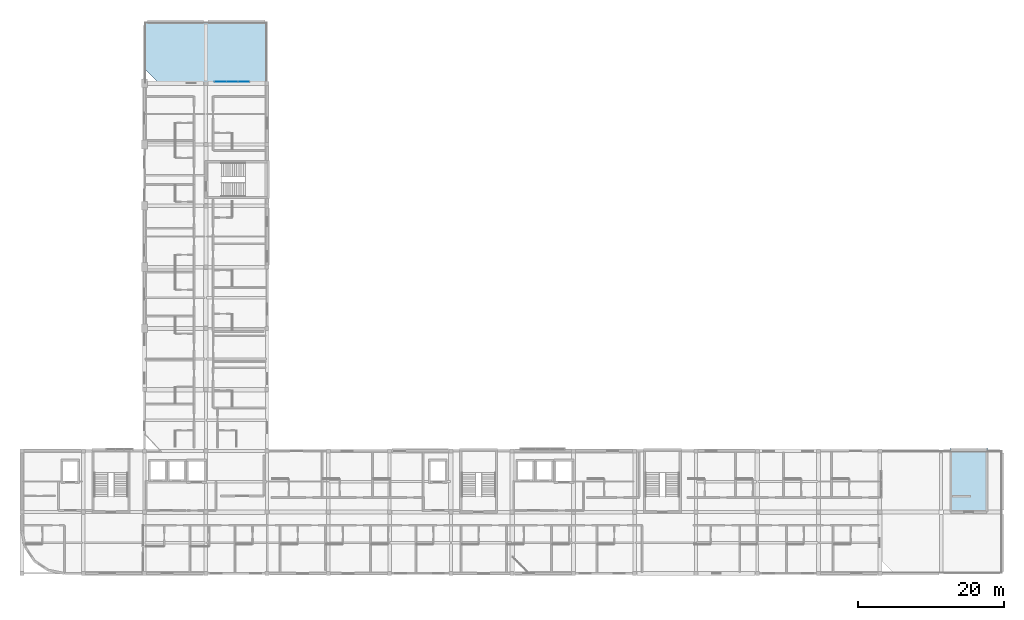
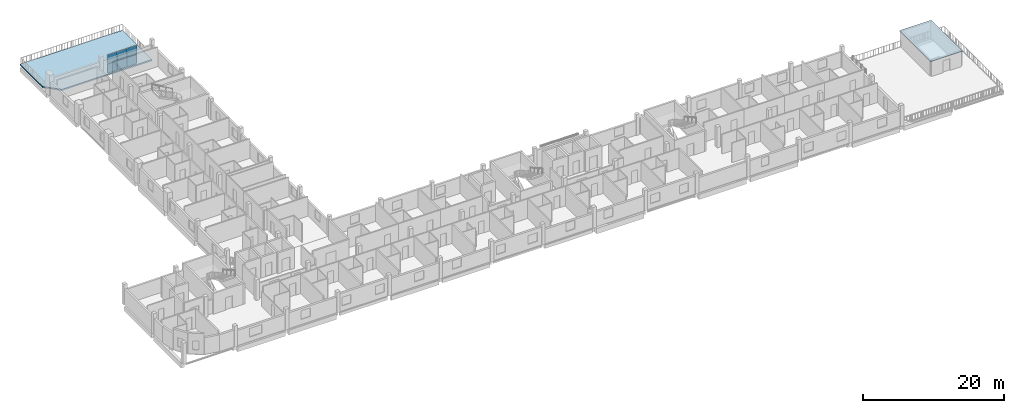
# One storey, part 11 of 26: 6 plates, 2 slabs, 1 element without a shape of its own.
"""IFC4 building model written with IfcOpenShell, lengths in metres."""

from ifc_helpers import new_model, si_unit, derived_unit, direction, frame, origin, origin_2d, place, context, subcontext, project, spatial, polyline, rectangle, outline, extrude, material, layer, layer_set, type_object, element, aggregate, save


model = new_model("IFC4")

# Units and contexts
model_context = context("Model", 3, precision=1e-05, world=origin(), true_north=direction((0.0, 1.0)))
body_context = subcontext(model_context, "Body", "Model", "MODEL_VIEW")
ifc_project = project(units=[si_unit("LENGTHUNIT", "METRE"), si_unit("AREAUNIT", "SQUARE_METRE"), si_unit("VOLUMEUNIT", "CUBIC_METRE"), si_unit("PLANEANGLEUNIT", "RADIAN"), si_unit("MASSUNIT", "GRAM", prefix="KILO"), derived_unit("THERMALTRANSMITTANCEUNIT", [(si_unit("POWERUNIT", "WATT"), 1), (si_unit("LENGTHUNIT", "METRE"), -2), (si_unit("THERMODYNAMICTEMPERATUREUNIT", "KELVIN"), -1)])], contexts=[model_context])

# Site, building, storey
site_placement = place(None, origin())
site = spatial("IfcSite", under=ifc_project, at=site_placement, CompositionType="ELEMENT")
building_placement = place(site_placement, origin())
building = spatial("IfcBuilding", under=site, at=building_placement, Name="Barrovel Congress Hotel", CompositionType="ELEMENT")
storey_placement = place(building_placement, frame((0.0, 0.0, 32.699951171875)))
storey = spatial("IfcBuildingStorey", under=building, at=storey_placement, Name="L08", CompositionType="ELEMENT", Elevation=32.699951171875)

# Curtain wall, plates
ifc_material_1 = material(Name="Anodised Aluminium Alloy 6063-T6", Category="aluminium")
curtain_wall_type = type_object("IfcCurtainWallType", Name="CW-UN-4800x3200", PredefinedType="USERDEFINED", material=ifc_material_1)
curtain_wall_placement = place(storey_placement, origin())
curtain_wall = element("IfcCurtainWall", 1, at=curtain_wall_placement, inside=storey, type_object=curtain_wall_type, Name="CW:L08:UN-2", ObjectType="UNITISED CURTAIN WALL", PredefinedType="USERDEFINED")
ifc_material_2 = material(Name="Double Low-E Insulated Glazing", Category="glass")
ifc_layer_1 = layer(ifc_material_2, 0.028076171875)
ifc_layer_set_1 = layer_set([ifc_layer_1], Name="Double Low-E Insulated Glazing")
plate_type = type_object("IfcPlateType", Name="CWP-28", PredefinedType="CURTAIN_PANEL", material=ifc_layer_set_1)
plate_1_placement = place(storey_placement, frame((44.0, 71.6201171875, 0.030029296875), z_axis=(0.0, 0.0, 1.0), x_axis=(1.0, 0.0, 0.0)))
plate_1 = element("IfcPlate", 2, at=plate_1_placement, type_object=plate_type, Name="CW:L08:UN-2:P0-0", PredefinedType="CURTAIN_PANEL", context=body_context, shape_type="SweptSolid", body=[
    extrude(rectangle(XDim=1.5400390625, YDim=0.028076171875, at=origin_2d()), origin(), (0.0, 0.0, 1.0), 1.56494140625),
])
plate_2_placement = place(storey_placement, frame((44.0, 71.6201171875, 1.655029296875), z_axis=(0.0, 0.0, 1.0), x_axis=(1.0, 0.0, 0.0)))
plate_2 = element("IfcPlate", 3, at=plate_2_placement, type_object=plate_type, Name="CW:L08:UN-2:P0-1", PredefinedType="CURTAIN_PANEL", context=body_context, shape_type="SweptSolid", body=[
    extrude(rectangle(XDim=1.5400390625, YDim=0.028076171875, at=origin_2d()), origin(), (0.0, 0.0, 1.0), 1.56494140625),
])
plate_3_placement = place(storey_placement, frame((45.60009765625, 71.6201171875, 0.030029296875), z_axis=(0.0, 0.0, 1.0), x_axis=(1.0, 0.0, 0.0)))
plate_3 = element("IfcPlate", 4, at=plate_3_placement, type_object=plate_type, Name="CW:L08:UN-2:P1-0", PredefinedType="CURTAIN_PANEL", context=body_context, shape_type="SweptSolid", body=[
    extrude(rectangle(XDim=1.5400390625, YDim=0.028076171875, at=origin_2d()), origin(), (0.0, 0.0, 1.0), 1.56494140625),
])
plate_4_placement = place(storey_placement, frame((45.60009765625, 71.6201171875, 1.655029296875), z_axis=(0.0, 0.0, 1.0), x_axis=(1.0, 0.0, 0.0)))
plate_4 = element("IfcPlate", 5, at=plate_4_placement, type_object=plate_type, Name="CW:L08:UN-2:P1-1", PredefinedType="CURTAIN_PANEL", context=body_context, shape_type="SweptSolid", body=[
    extrude(rectangle(XDim=1.5400390625, YDim=0.028076171875, at=origin_2d()), origin(), (0.0, 0.0, 1.0), 1.56494140625),
])
plate_5_placement = place(storey_placement, frame((47.199951171875, 71.6201171875, 0.030029296875), z_axis=(0.0, 0.0, 1.0), x_axis=(1.0, 0.0, 0.0)))
plate_5 = element("IfcPlate", 6, at=plate_5_placement, type_object=plate_type, Name="CW:L08:UN-2:P2-0", PredefinedType="CURTAIN_PANEL", context=body_context, shape_type="SweptSolid", body=[
    extrude(rectangle(XDim=1.5400390625, YDim=0.028076171875, at=origin_2d()), origin(), (0.0, 0.0, 1.0), 1.56494140625),
])
plate_6_placement = place(storey_placement, frame((47.199951171875, 71.6201171875, 1.655029296875), z_axis=(0.0, 0.0, 1.0), x_axis=(1.0, 0.0, 0.0)))
plate_6 = element("IfcPlate", 7, at=plate_6_placement, type_object=plate_type, Name="CW:L08:UN-2:P2-1", PredefinedType="CURTAIN_PANEL", context=body_context, shape_type="SweptSolid", body=[
    extrude(rectangle(XDim=1.5400390625, YDim=0.028076171875, at=origin_2d()), origin(), (0.0, 0.0, 1.0), 1.56494140625),
])
aggregate(curtain_wall, [plate_1, plate_2, plate_3, plate_4, plate_5, plate_6])

# Slabs
ifc_material_3 = material(Name="Concrete C35", Category="concrete")
ifc_layer_2 = layer(ifc_material_3, 0.219970703125)
ifc_layer_set_2 = layer_set([ifc_layer_2], Name="Concrete C35")
slab_type_1 = type_object("IfcSlabType", Name="SL-F220", PredefinedType="FLOOR", material=ifc_layer_set_2)
slab_1_placement = place(storey_placement, frame((0.0, 0.0, -0.219970703125)))
element("IfcSlab", 8, at=slab_1_placement, inside=storey, type_object=slab_type_1, Name="SLAB:L08:TERR-N", PredefinedType="FLOOR", context=body_context, shape_type="SweptSolid", body=[
    extrude(outline(polyline([(35.60009765625, 71.39990234375), (50.39990234375, 71.39990234375), (50.39990234375, 79.800048828125), (33.60009765625, 79.800048828125), (33.60009765625, 73.39990234375), (35.60009765625, 71.39990234375)])), origin(), (0.0, 0.0, 1.0), 0.219970703125),
])
ifc_layer_3 = layer(ifc_material_3, 0.139892578125)
ifc_layer_set_3 = layer_set([ifc_layer_3], Name="Concrete C35")
slab_type_2 = type_object("IfcSlabType", Name="SL-R140", PredefinedType="ROOF", material=ifc_layer_set_3)
slab_2_placement = place(storey_placement, frame((0.0, 0.0, 2.510009765625)))
element("IfcSlab", 9, at=slab_2_placement, inside=storey, type_object=slab_type_2, Name="Stair Headhouse Roof XS-04", PredefinedType="ROOF", context=body_context, shape_type="SweptSolid", body=[
    extrude(outline(polyline([(144.0, 12.4599609375), (149.199951171875, 12.4599609375), (149.199951171875, 21.300048828125), (144.0, 21.300048828125), (144.0, 12.4599609375)])), origin(), (0.0, 0.0, 1.0), 0.14013671875),
])

save(model, "model.ifc")
